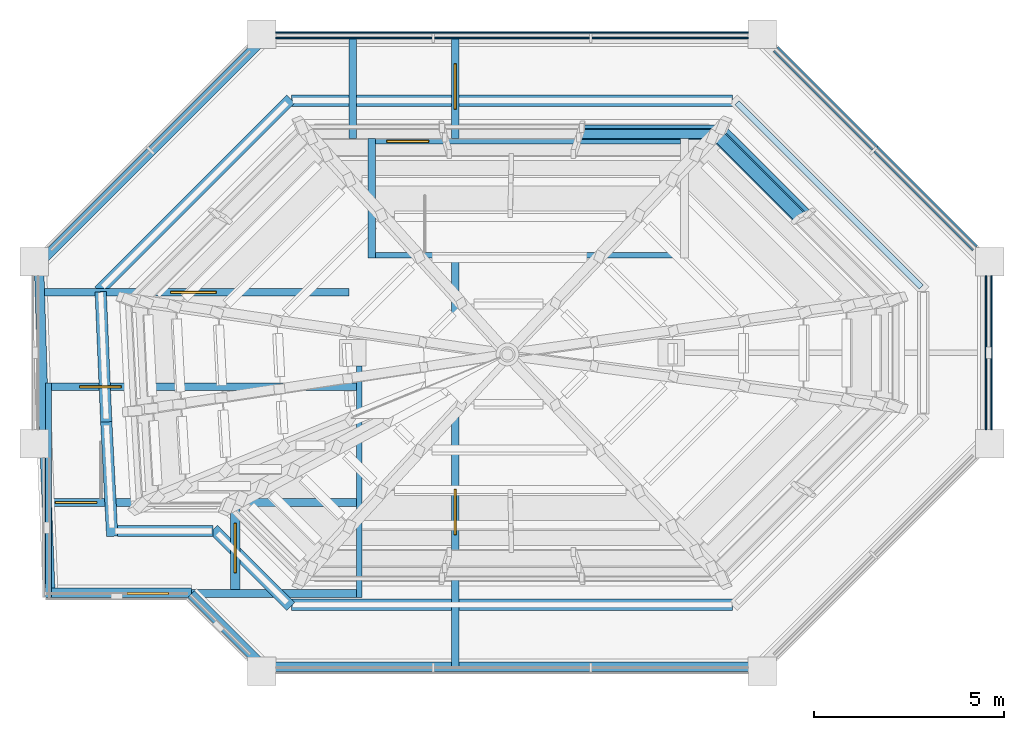
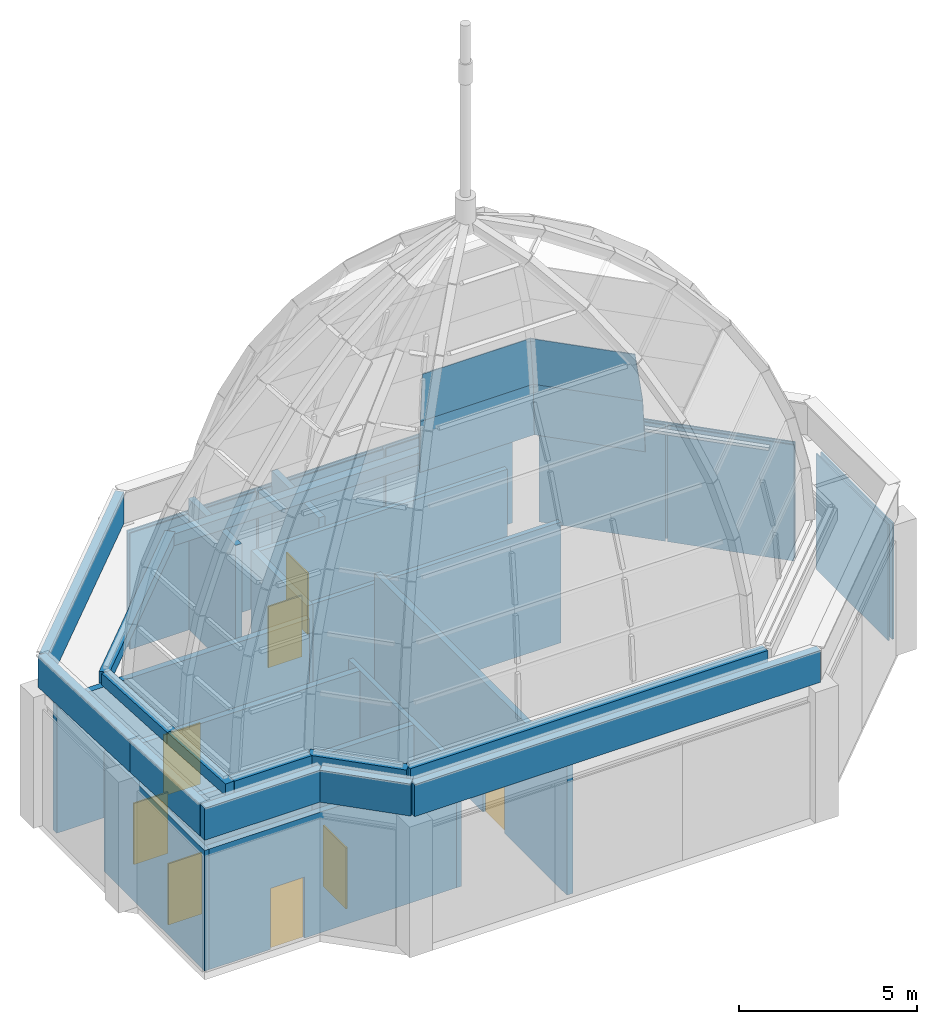
# One storey, part 4 of 9: 26 walls, 17 plates, 8 doors, 8 openings, 3 elements without a shape of their own.
"""IFC4 building model written with IfcOpenShell, lengths in metres."""

from ifc_helpers import new_model, si_unit, direction, frame, frame_2d, origin, origin_2d, place, context, subcontext, project, spatial, polyline, rectangle, outline, extrude, material, layer, layer_set, type_object, element, fill, aggregate, save


model = new_model("IFC4")

# Units and contexts
model_context = context("Model", 3, precision=1e-05, world=origin(), true_north=direction((0.0, 1.0)))
body_context = subcontext(model_context, "Body", "Model", "MODEL_VIEW")
ifc_project = project(units=[si_unit("LENGTHUNIT", "METRE"), si_unit("AREAUNIT", "SQUARE_METRE"), si_unit("VOLUMEUNIT", "CUBIC_METRE"), si_unit("PLANEANGLEUNIT", "RADIAN"), si_unit("MASSUNIT", "GRAM", prefix="KILO")], contexts=[model_context])

# Site, building, storey
site_placement = place(None, origin())
site = spatial("IfcSite", under=ifc_project, at=site_placement, CompositionType="ELEMENT")
building_placement = place(site_placement, origin())
building = spatial("IfcBuilding", under=site, at=building_placement, Name="Kawkab Arch Medical Tower", CompositionType="ELEMENT")
storey_placement = place(building_placement, frame((0.0, 0.0, 359.199951171875)))
storey = spatial("IfcBuildingStorey", under=building, at=storey_placement, Name="L83", CompositionType="ELEMENT", Elevation=359.199951171875)

# Plate
ifc_material_1 = material(Name="Steel S355", Category="steel")
ifc_layer_1 = layer(ifc_material_1, 0.10009765625)
ifc_layer_set_1 = layer_set([ifc_layer_1], Name="Steel S355")
plate_type_1 = type_object("IfcPlateType", Name="BMU rail 150 x 100", PredefinedType="USERDEFINED", material=ifc_layer_set_1)
plate_1_placement = place(storey_placement, frame((20.962646484375, -29.4375, 4.89990234375), z_axis=(0.0, 0.0, 1.0), x_axis=(0.707106781187, -0.707106781187, 0.0)))
element("IfcPlate", 1, at=plate_1_placement, inside=storey, type_object=plate_type_1, Name="BMU rail 3", ObjectType="BMU RAIL", PredefinedType="USERDEFINED", context=body_context, shape_type="SweptSolid", body=[
    extrude(rectangle(XDim=6.87548828125, YDim=0.14990234375, at=origin_2d()), origin(), (0.0, 0.0, 1.0), 0.10009765625),
])

# Curtain wall, plate
ifc_material_2 = material(Name="Bronze anodised aluminium curtain wall frame", Category="aluminium")
ifc_layer_2 = layer(ifc_material_2, 0.159912109375)
ifc_layer_set_2 = layer_set([ifc_layer_2], Name="Bronze anodised aluminium curtain wall frame")
curtain_wall_type = type_object("IfcCurtainWallType", Name="CW6 helipad lobby and crown glazing", PredefinedType="NOTDEFINED", material=ifc_layer_set_2)
placement = place(storey_placement, origin())
curtain_wall_1 = element("IfcCurtainWall", 2, at=placement, inside=storey, type_object=curtain_wall_type, Name="CW6 Helipad lobby and crown glazing R08", PredefinedType="NOTDEFINED")
ifc_material_3 = material(Name="Tinted laminated insulating glass, low iron", Category="glass")
ifc_layer_3 = layer(ifc_material_3, 0.0400390625)
ifc_layer_set_3 = layer_set([ifc_layer_3], Name="Tinted laminated insulating glass, low iron")
plate_type_2 = type_object("IfcPlateType", Name="CW6 glazing unit 40", PredefinedType="CURTAIN_PANEL", material=ifc_layer_set_3)
plate_2_placement = place(storey_placement, frame((25.10009765625, -33.60009765625, 0.0), z_axis=(0.0, 0.0, 1.0), x_axis=(0.0, 1.0, 0.0)))
plate_2 = element("IfcPlate", 3, at=plate_2_placement, type_object=plate_type_2, Name="CW6 glazing unit 1.1", PredefinedType="CURTAIN_PANEL", context=body_context, shape_type="SweptSolid", body=[
    extrude(rectangle(XDim=4.050048828125, YDim=0.0400390625, at=origin_2d()), origin(), (0.0, 0.0, 1.0), 3.989990234375),
])
aggregate(curtain_wall_1, [plate_2])

# Curtain wall, plates
curtain_wall_2 = element("IfcCurtainWall", 4, at=placement, inside=storey, type_object=curtain_wall_type, Name="CW6 Helipad lobby and crown glazing R09", PredefinedType="NOTDEFINED")
plate_3_placement = place(storey_placement, frame((23.4541015625, -29.595703125, 0.0), z_axis=(0.0, 0.0, 1.0), x_axis=(-0.707106781187, 0.707106781187, 0.0)))
plate_3 = element("IfcPlate", 5, at=plate_3_placement, type_object=plate_type_2, Name="CW6 glazing unit 1.1", PredefinedType="CURTAIN_PANEL", context=body_context, shape_type="SweptSolid", body=[
    extrude(rectangle(XDim=3.67724609375, YDim=0.0400390625, at=origin_2d()), origin(), (0.0, 0.0, 1.0), 3.989990234375),
])
plate_4_placement = place(storey_placement, frame((20.804443359375, -26.94580078125, 0.0), z_axis=(0.0, 0.0, 1.0), x_axis=(-0.707106781187, 0.707106781187, 0.0)))
plate_4 = element("IfcPlate", 6, at=plate_4_placement, type_object=plate_type_2, Name="CW6 glazing unit 1.2", PredefinedType="CURTAIN_PANEL", context=body_context, shape_type="SweptSolid", body=[
    extrude(rectangle(XDim=3.67724609375, YDim=0.0400390625, at=origin_2d()), origin(), (0.0, 0.0, 1.0), 3.989990234375),
])
aggregate(curtain_wall_2, [plate_3, plate_4])

curtain_wall_3 = element("IfcCurtainWall", 7, at=placement, inside=storey, type_object=curtain_wall_type, Name="CW6 Helipad lobby and crown glazing R10", PredefinedType="NOTDEFINED")
plate_5_placement = place(storey_placement, frame((16.767578125, -25.300048828125, 0.0), z_axis=(0.0, 0.0, 1.0), x_axis=(-1.0, 0.0, 0.0)))
plate_5 = element("IfcPlate", 8, at=plate_5_placement, type_object=plate_type_2, Name="CW6 glazing unit 1.1", PredefinedType="CURTAIN_PANEL", context=body_context, shape_type="SweptSolid", body=[
    extrude(rectangle(XDim=4.114990234375, YDim=0.0400390625, at=origin_2d()), origin(), (0.0, 0.0, 1.0), 3.989990234375),
])
plate_6_placement = place(storey_placement, frame((12.60009765625, -25.300048828125, 0.0), z_axis=(0.0, 0.0, 1.0), x_axis=(-1.0, 0.0, 0.0)))
plate_6 = element("IfcPlate", 9, at=plate_6_placement, type_object=plate_type_2, Name="CW6 glazing unit 1.2", PredefinedType="CURTAIN_PANEL", context=body_context, shape_type="SweptSolid", body=[
    extrude(rectangle(XDim=4.080078125, YDim=0.0400390625, at=origin_2d()), origin(), (0.0, 0.0, 1.0), 3.989990234375),
])
plate_7_placement = place(storey_placement, frame((8.4326171875, -25.300048828125, 0.0), z_axis=(0.0, 0.0, 1.0), x_axis=(-1.0, 0.0, 0.0)))
plate_7 = element("IfcPlate", 10, at=plate_7_placement, type_object=plate_type_2, Name="CW6 glazing unit 1.3", PredefinedType="CURTAIN_PANEL", context=body_context, shape_type="SweptSolid", body=[
    extrude(rectangle(XDim=4.114990234375, YDim=0.0400390625, at=origin_2d()), origin(), (0.0, 0.0, 1.0), 3.989990234375),
])
aggregate(curtain_wall_3, [plate_5, plate_6, plate_7])

# Plates
ifc_material_4 = material(Name="Laminated tinted glass", Category="glass")
ifc_layer_4 = layer(ifc_material_4, 0.031982421875)
ifc_layer_set_4 = layer_set([ifc_layer_4], Name="Laminated tinted glass")
plate_type_3 = type_object("IfcPlateType", Name="Crown glazing panel 32", PredefinedType="USERDEFINED", material=ifc_layer_set_4)
plate_8_placement = place(storey_placement, frame((20.5029296875, -29.897216796875, 4.650146484375), z_axis=(0.705627254102, 0.705627254102, 0.064655676758), x_axis=(-0.707106781187, 0.707106781187, 0.0)))
element("IfcPlate", 11, at=plate_8_placement, inside=storey, type_object=plate_type_3, Name="Crown glazing, peak B face 6 row 1 bay 2", ObjectType="CROWN GLAZING", PredefinedType="USERDEFINED", context=body_context, shape_type="SweptSolid", body=[
    extrude(outline(polyline([(0.0, 0.0), (3.248617043058704, 0.0), (3.2453370067201925, 1.823639943277554), (0.042985739383654874, 1.823639943277554), (0.0, 0.0)])), origin(), (0.0, 0.0, -1.0), 0.031982421875),
])
plate_9_placement = place(storey_placement, frame((18.205810546875, -27.60009765625, 4.650146484375), z_axis=(0.0, 0.998893162272, 0.047036691703), x_axis=(-1.0, 0.0, 0.0)))
element("IfcPlate", 12, at=plate_9_placement, inside=storey, type_object=plate_type_3, Name="Crown glazing, peak B face 7 row 1 bay 1", ObjectType="CROWN GLAZING", PredefinedType="USERDEFINED", context=body_context, shape_type="SweptSolid", body=[
    extrude(outline(polyline([(0.0, 0.0), (3.7373046875, 0.0), (3.765380859375, 1.821840700772167), (0.0810546875, 1.821840700772167), (0.0, 0.0)])), origin(), (0.0, 0.0, -1.0), 0.031982421875),
])
plate_10_placement = place(storey_placement, frame((20.38916015625, -29.9501953125, 6.469970703125), z_axis=(0.693697405746, 0.693659172864, 0.193960978453), x_axis=(-0.707088027523, 0.707125534333, 5.243683e-06)))
element("IfcPlate", 13, at=plate_10_placement, inside=storey, type_object=plate_type_3, Name="Crown glazing, peak B face 6 row 2 bay 2", ObjectType="CROWN GLAZING", PredefinedType="USERDEFINED", context=body_context, shape_type="SweptSolid", body=[
    extrude(outline(polyline([(0.0, 0.0), (3.2023512661662754, 1.1102230246251565e-16), (3.192683792979231, 1.855284878504599), (0.1306835507732039, 1.8553183626655365), (0.0, 0.0)])), origin(), (0.0, 0.0, -1.0), 0.031982421875),
])
plate_11_placement = place(storey_placement, frame((18.124755859375, -27.685791015625, 6.469970703125), z_axis=(0.0, 0.989856335609, 0.142071935493), x_axis=(-1.0, 0.0, 0.0)))
element("IfcPlate", 14, at=plate_11_placement, inside=storey, type_object=plate_type_3, Name="Crown glazing, peak B face 7 row 2 bay 1", ObjectType="CROWN GLAZING", PredefinedType="USERDEFINED", context=body_context, shape_type="SweptSolid", body=[
    extrude(outline(polyline([(0.0, 0.0), (3.684326171875, 0.0), (3.770263671875, 1.838719715073874), (0.24755859375, 1.838719715073874), (0.0, 0.0)])), origin(), (0.0, 0.0, -1.0), 0.031982421875),
])
ifc_material_5 = material(Name="Bronze anodised aluminium perforated screen", Category="aluminium")
ifc_layer_5 = layer(ifc_material_5, 0.050048828125)
ifc_layer_set_5 = layer_set([ifc_layer_5], Name="Bronze anodised aluminium perforated screen")
plate_type_4 = type_object("IfcPlateType", Name="Crown perforated star screen 50", PredefinedType="USERDEFINED", material=ifc_layer_set_5)
plate_12_placement = place(storey_placement, frame((25.2451171875, -33.60009765625, 0.0), z_axis=(0.0, 0.0, 1.0), x_axis=(0.0, 1.0, 0.0)))
element("IfcPlate", 15, at=plate_12_placement, inside=storey, type_object=plate_type_4, Name="Crown screen L83 R08.1.1", ObjectType="SCREEN", PredefinedType="USERDEFINED", context=body_context, shape_type="SweptSolid", body=[
    extrude(rectangle(XDim=4.050048828125, YDim=0.050048828125, at=origin_2d()), origin(), (0.0, 0.0, 1.0), 3.989990234375),
])
for number, where, z_axis, x_axis, name in (
    (16, (23.544189453125, -29.480712890625, 0.0), (0.0, 0.0, 1.0), (-0.707106781187, 0.707106781187, 0.0), "Crown screen L83 R09.1.1"),
    (17, (20.919189453125, -26.855712890625, 0.0), (0.0, 0.0, 1.0), (-0.707106781187, 0.707106781187, 0.0), "Crown screen L83 R09.1.2"),
):
    element("IfcPlate", number, at=place(storey_placement, frame(where, z_axis=z_axis, x_axis=x_axis)), inside=storey, type_object=plate_type_4, Name=name, ObjectType="SCREEN", PredefinedType="USERDEFINED", context=body_context, shape_type="SweptSolid", body=[
        extrude(rectangle(XDim=3.71240234375, YDim=0.050048828125, at=origin_2d()), origin(), (0.0, 0.0, 1.0), 3.989990234375),
    ])
for number, where, z_axis, x_axis, name in (
    (18, (16.75, -25.155029296875, 0.0), (0.0, 0.0, 1.0), (-1.0, 0.0, 0.0), "Crown screen L83 R10.1.1"),
    (19, (12.60009765625, -25.155029296875, 0.0), (0.0, 0.0, 1.0), (-1.0, 0.0, 0.0), "Crown screen L83 R10.1.2"),
    (20, (8.449951171875, -25.155029296875, 0.0), (0.0, 0.0, 1.0), (-1.0, 0.0, 0.0), "Crown screen L83 R10.1.3"),
):
    element("IfcPlate", number, at=place(storey_placement, frame(where, z_axis=z_axis, x_axis=x_axis)), inside=storey, type_object=plate_type_4, Name=name, ObjectType="SCREEN", PredefinedType="USERDEFINED", context=body_context, shape_type="SweptSolid", body=[
        extrude(rectangle(XDim=4.14990234375, YDim=0.050048828125, at=origin_2d()), origin(), (0.0, 0.0, 1.0), 3.989990234375),
    ])

# Walls
ifc_material_6 = material(Name="Concrete C40/50", Category="concrete")
ifc_layer_6 = layer(ifc_material_6, 0.300048828125)
ifc_layer_set_6 = layer_set([ifc_layer_6], Name="Concrete C40/50")
wall_type_1 = type_object("IfcWallType", Name="BMU curb 300 x 400", PredefinedType="SOLIDWALL", material=ifc_layer_set_6)
wall_1_placement = place(storey_placement, frame((1.703369140625, -31.971435546875, 4.5), z_axis=(0.0, 0.0, 1.0), x_axis=(0.707106781187, 0.707106781187, 0.0)))
element("IfcWall", 21, at=wall_1_placement, inside=storey, type_object=wall_type_1, Name="BMU rail curb 1", PredefinedType="SOLIDWALL", context=body_context, shape_type="SweptSolid", body=[
    extrude(rectangle(XDim=7.16357421875, YDim=0.300048828125, at=frame_2d((3.581787109375, 0.0))), origin(), (0.0, 0.0, 1.0), 0.400146484375),
])
for number, where, z_axis, x_axis, name in (
    (22, (6.787109375, -26.949951171875, 4.5), (0.0, 0.0, 1.0), (1.0, 0.0, 0.0), "BMU rail curb 2"),
    (23, (18.4130859375, -40.25, 4.5), (0.0, 0.0, 1.0), (-1.0, 0.0, 0.0), "BMU rail curb 6"),
):
    element("IfcWall", number, at=place(storey_placement, frame(where, z_axis=z_axis, x_axis=x_axis)), inside=storey, type_object=wall_type_1, Name=name, PredefinedType="SOLIDWALL", context=body_context, shape_type="SweptSolid", body=[
        extrude(rectangle(XDim=11.6259765625, YDim=0.300048828125, at=frame_2d((5.81298828125, 0.0))), origin(), (0.0, 0.0, 1.0), 0.400146484375),
    ])
wall_2_placement = place(storey_placement, frame((6.768798828125, -40.2939453125, 4.5), z_axis=(0.0, 0.0, 1.0), x_axis=(-0.707106781187, 0.707106781187, 0.0)))
element("IfcWall", 24, at=wall_2_placement, inside=storey, type_object=wall_type_1, Name="BMU rail curb 7", PredefinedType="SOLIDWALL", context=body_context, shape_type="SweptSolid", body=[
    extrude(rectangle(XDim=2.8818359375, YDim=0.300048828125, at=frame_2d((1.44091796875, 0.0))), origin(), (0.0, 0.0, 1.0), 0.400146484375),
])
wall_3_placement = place(storey_placement, frame((4.712646484375, -38.300048828125, 4.5), z_axis=(0.0, 0.0, 1.0), x_axis=(-1.0, 0.0, 0.0)))
element("IfcWall", 25, at=wall_3_placement, inside=storey, type_object=wall_type_1, Name="BMU rail curb 8", PredefinedType="SOLIDWALL", context=body_context, shape_type="SweptSolid", body=[
    extrude(rectangle(XDim=2.520263671875, YDim=0.300048828125, at=frame_2d((1.26025390625, 0.0))), origin(), (0.0, 0.0, 1.0), 0.400146484375),
])
wall_4_placement = place(storey_placement, frame((2.057373046875, -38.442138671875, 4.5), z_axis=(0.0, 0.0, 1.0), x_axis=(-0.052109351445, 0.998641384828, 0.0)))
element("IfcWall", 26, at=wall_4_placement, inside=storey, type_object=wall_type_1, Name="BMU rail curb 9", PredefinedType="SOLIDWALL", context=body_context, shape_type="SweptSolid", body=[
    extrude(rectangle(XDim=3.02197265625, YDim=0.300048828125, at=frame_2d((1.510986328125, 0.0))), origin(), (0.0, 0.0, 1.0), 0.400146484375),
])
wall_5_placement = place(storey_placement, frame((1.89990234375, -35.42431640625, 4.5), z_axis=(0.0, 0.0, 1.0), x_axis=(-0.042836071877, 0.999082114216, 0.0)))
element("IfcWall", 27, at=wall_5_placement, inside=storey, type_object=wall_type_1, Name="BMU rail curb 10", PredefinedType="SOLIDWALL", context=body_context, shape_type="SweptSolid", body=[
    extrude(rectangle(XDim=3.436767578125, YDim=0.300048828125, at=frame_2d((1.71826171875, 0.0))), origin(), (0.0, 0.0, 1.0), 0.400146484375),
])

# Wall, opening, door
ifc_material_7 = material(Name="Concrete C60/75", Category="concrete")
ifc_layer_7 = layer(ifc_material_7, 0.25)
ifc_layer_set_7 = layer_set([ifc_layer_7], Name="Concrete C60/75")
wall_type_2 = type_object("IfcWallType", Name="Core shear wall 250 C60/75", PredefinedType="SHEAR", material=ifc_layer_set_7)
wall_6_placement = place(storey_placement, frame((5.300048828125, -39.85009765625, 0.0), z_axis=(0.0, 0.0, 1.0), x_axis=(0.0, 1.0, 0.0)))
wall_6 = element("IfcWall", 28, at=wall_6_placement, inside=storey, type_object=wall_type_2, Name="L83 core shear wall", PredefinedType="SHEAR", context=body_context, shape_type="SweptSolid", body=[
    extrude(rectangle(XDim=2.2001953125, YDim=0.25, at=frame_2d((1.10009765625, 0.0))), origin(), (0.0, 0.0, 1.0), 4.150146484375),
])
opening_1_placement = place(wall_6_placement, frame((0.449951171875, 0.0, 0.0)))
opening_1 = element("IfcOpeningElement", 29, at=opening_1_placement, cuts=wall_6, Name="Opening LD2", PredefinedType="OPENING", context=body_context, shape_type="SweptSolid", body=[
    extrude(rectangle(XDim=1.300048828125, YDim=2.10009765625, at=frame_2d((0.64990234375, 1.050048828125))), frame((0.0, 0.135009765625, 0.0), z_axis=(0.0, -1.0, 0.0), x_axis=(1.0, 0.0, 0.0)), (0.0, 0.0, 1.0), 0.27001953125),
])
ifc_material_8 = material(Name="Stainless steel lift door leaf", Category="steel")
door_type_1 = type_object("IfcDoorType", Name="Lift landing door 1300", OperationType="DOUBLE_DOOR_SLIDING", PredefinedType="DOOR", material=ifc_material_8)
door_1_placement = place(opening_1_placement, origin())
door_1 = element("IfcDoor", 30, at=door_1_placement, inside=storey, type_object=door_type_1, Name="L83 Lift landing door SV2", OperationType="DOUBLE_DOOR_SLIDING", OverallHeight=2.10009765625, OverallWidth=1.300048828125, PredefinedType="DOOR", context=body_context, shape_type="SweptSolid", body=[
    extrude(rectangle(XDim=1.300048828125, YDim=2.10009765625, at=frame_2d((0.64990234375, 1.050048828125))), frame((0.0, 0.02490234375, 0.0), z_axis=(0.0, -1.0, 0.0), x_axis=(1.0, 0.0, 0.0)), (0.0, 0.0, 1.0), 0.050048828125),
])
fill(opening_1, door_1)

# Walls
ifc_material_9 = material(Name="Bronze clad insulated wall panel")
ifc_layer_8 = layer(ifc_material_9, 0.25)
ifc_layer_set_8 = layer_set([ifc_layer_8], Name="Bronze clad insulated wall panel")
wall_type_3 = type_object("IfcWallType", Name="Crown parapet 250", PredefinedType="SOLIDWALL", material=ifc_layer_set_8)
wall_7_placement = place(storey_placement, frame((0.3046875, -39.925048828125, 4.5), z_axis=(0.0, 0.0, 1.0), x_axis=(1.0, 0.0, 0.0)))
element("IfcWall", 31, at=wall_7_placement, inside=storey, type_object=wall_type_3, Name="Parapet, crown peak B 1", PredefinedType="SOLIDWALL", context=body_context, shape_type="SweptSolid", body=[
    extrude(rectangle(XDim=3.848876953125, YDim=0.25, at=frame_2d((1.92431640625, 0.0))), origin(), (0.0, 0.0, 1.0), 1.10009765625),
])
wall_8_placement = place(storey_placement, frame((4.138427734375, -39.961669921875, 4.5), z_axis=(0.0, 0.0, 1.0), x_axis=(0.707106781187, -0.707106781187, 0.0)))
element("IfcWall", 32, at=wall_8_placement, inside=storey, type_object=wall_type_3, Name="Parapet, crown peak B 2", PredefinedType="SOLIDWALL", context=body_context, shape_type="SweptSolid", body=[
    extrude(rectangle(XDim=2.654052734375, YDim=0.25, at=frame_2d((1.3271484375, 0.0))), origin(), (0.0, 0.0, 1.0), 1.10009765625),
])
wall_9_placement = place(storey_placement, frame((6.0, -41.875, 4.5), z_axis=(0.0, 0.0, 1.0), x_axis=(1.0, 0.0, 0.0)))
element("IfcWall", 33, at=wall_9_placement, inside=storey, type_object=wall_type_3, Name="Parapet, crown peak B 3", PredefinedType="SOLIDWALL", context=body_context, shape_type="SweptSolid", body=[
    extrude(rectangle(XDim=13.199951171875, YDim=0.25, at=frame_2d((6.60009765625, 0.0))), origin(), (0.0, 0.0, 1.0), 1.10009765625),
])
wall_10_placement = place(storey_placement, frame((6.01513671875, -25.361572265625, 4.5), z_axis=(0.0, 0.0, 1.0), x_axis=(-0.707106781187, -0.707106781187, 0.0)))
element("IfcWall", 34, at=wall_10_placement, inside=storey, type_object=wall_type_3, Name="Parapet, crown peak B 8", PredefinedType="SOLIDWALL", context=body_context, shape_type="SweptSolid", body=[
    extrude(rectangle(XDim=8.276123046875, YDim=0.25, at=frame_2d((4.13818359375, 0.0))), origin(), (0.0, 0.0, 1.0), 1.10009765625),
])
wall_11_placement = place(storey_placement, frame((0.123291015625, -31.19775390625, 4.5), z_axis=(0.0, 0.0, 1.0), x_axis=(0.030920746352, -0.999521839404, 0.0)))
element("IfcWall", 35, at=wall_11_placement, inside=storey, type_object=wall_type_3, Name="Parapet, crown peak B 9", PredefinedType="SOLIDWALL", context=body_context, shape_type="SweptSolid", body=[
    extrude(rectangle(XDim=4.9033203125, YDim=0.25, at=frame_2d((2.45166015625, 0.0))), origin(), (0.0, 0.0, 1.0), 1.10009765625),
])
wall_12_placement = place(storey_placement, frame((0.27490234375, -36.0986328125, 4.5), z_axis=(0.0, 0.0, 1.0), x_axis=(0.039229380017, -0.9992302316, 0.0)))
element("IfcWall", 36, at=wall_12_placement, inside=storey, type_object=wall_type_3, Name="Parapet, crown peak B 10", PredefinedType="SOLIDWALL", context=body_context, shape_type="SweptSolid", body=[
    extrude(rectangle(XDim=3.709228515625, YDim=0.25, at=frame_2d((1.8544921875, 0.0))), origin(), (0.0, 0.0, 1.0), 1.10009765625),
])

# Wall, opening, door
ifc_material_10 = material(Name="Fire-rated gypsum board partition on steel studs", Category="steel")
ifc_layer_9 = layer(ifc_material_10, 0.199951171875)
ifc_layer_set_9 = layer_set([ifc_layer_9], Name="Fire-rated gypsum board partition on steel studs")
wall_type_4 = type_object("IfcWallType", Name="Protected partition 200", PredefinedType="PARTITIONING", material=ifc_layer_set_9)
wall_13_placement = place(storey_placement, frame((0.080078125, -32.007080078125, 0.0), z_axis=(0.0, 0.0, 1.0), x_axis=(1.0, 0.0, 0.0)))
wall_13 = element("IfcWall", 37, at=wall_13_placement, inside=storey, type_object=wall_type_4, Name="Protected partition 200 w002", PredefinedType="PARTITIONING", context=body_context, shape_type="SweptSolid", body=[
    extrude(rectangle(XDim=8.219970703125, YDim=0.199951171875, at=frame_2d((4.10986328125, 0.0))), origin(), (0.0, 0.0, 1.0), 4.5),
])
opening_2_placement = place(wall_13_placement, frame((3.52001953125, 0.0, 0.0)))
opening_2 = element("IfcOpeningElement", 38, at=opening_2_placement, cuts=wall_13, Name="Opening C83-003", PredefinedType="OPENING", context=body_context, shape_type="SweptSolid", body=[
    extrude(rectangle(XDim=1.199951171875, YDim=2.10009765625, at=frame_2d((0.60009765625, 1.050048828125))), frame((0.0, 0.10986328125, 0.0), z_axis=(0.0, -1.0, 0.0), x_axis=(1.0, 0.0, 0.0)), (0.0, 0.0, 1.0), 0.219970703125),
])
ifc_material_11 = material(Name="Hollow metal door leaf")
door_type_2 = type_object("IfcDoorType", Name="Single door 1200x2100 FD60", OperationType="NOTDEFINED", PredefinedType="DOOR", material=ifc_material_11)
door_2_placement = place(opening_2_placement, origin())
door_2 = element("IfcDoor", 39, at=door_2_placement, inside=storey, type_object=door_type_2, Name="Door C83-003", OperationType="SINGLE_SWING_LEFT", OverallHeight=2.10009765625, OverallWidth=1.199951171875, PredefinedType="DOOR", context=body_context, shape_type="SweptSolid", body=[
    extrude(rectangle(XDim=1.199951171875, YDim=2.10009765625, at=frame_2d((0.60009765625, 1.050048828125))), frame((0.0, 0.02490234375, 0.0), z_axis=(0.0, -1.0, 0.0), x_axis=(1.0, 0.0, 0.0)), (0.0, 0.0, 1.0), 0.050048828125),
])
fill(opening_2, door_2)

# Wall
wall_14_placement = place(storey_placement, frame((8.39990234375, -27.949951171875, 0.0), z_axis=(0.0, 0.0, 1.0), x_axis=(0.0, 1.0, 0.0)))
element("IfcWall", 40, at=wall_14_placement, inside=storey, type_object=wall_type_4, Name="Protected partition 200 w003", PredefinedType="PARTITIONING", context=body_context, shape_type="SweptSolid", body=[
    extrude(rectangle(XDim=2.669921875, YDim=0.199951171875, at=frame_2d((1.3349609375, 0.0))), origin(), (0.0, 0.0, 1.0), 4.5),
])

# Wall, opening, door
wall_15_placement = place(storey_placement, frame((11.10009765625, -41.919921875, 0.0), z_axis=(0.0, 0.0, 1.0), x_axis=(0.0, 1.0, 0.0)))
wall_15 = element("IfcWall", 41, at=wall_15_placement, inside=storey, type_object=wall_type_4, Name="Protected partition 200 w004", PredefinedType="PARTITIONING", context=body_context, shape_type="SweptSolid", body=[
    extrude(rectangle(XDim=10.81982421875, YDim=0.199951171875, at=frame_2d((5.409912109375, 0.0))), origin(), (0.0, 0.0, 1.0), 4.5),
])
opening_3_placement = place(wall_15_placement, frame((3.52001953125, 0.0, 0.0)))
opening_3 = element("IfcOpeningElement", 42, at=opening_3_placement, cuts=wall_15, Name="Opening C83-002", PredefinedType="OPENING", context=body_context, shape_type="SweptSolid", body=[
    extrude(rectangle(XDim=1.199951171875, YDim=2.10009765625, at=frame_2d((0.60009765625, 1.050048828125))), frame((0.0, 0.10986328125, 0.0), z_axis=(0.0, -1.0, 0.0), x_axis=(1.0, 0.0, 0.0)), (0.0, 0.0, 1.0), 0.219970703125),
])
door_3_placement = place(opening_3_placement, origin())
door_3 = element("IfcDoor", 43, at=door_3_placement, inside=storey, type_object=door_type_2, Name="Door C83-002", OperationType="SINGLE_SWING_RIGHT", OverallHeight=2.10009765625, OverallWidth=1.199951171875, PredefinedType="DOOR", context=body_context, shape_type="SweptSolid", body=[
    extrude(rectangle(XDim=1.199951171875, YDim=2.10009765625, at=frame_2d((0.60009765625, 1.050048828125))), frame((0.0, 0.02490234375, 0.0), z_axis=(0.0, -1.0, 0.0), x_axis=(1.0, 0.0, 0.0)), (0.0, 0.0, 1.0), 0.050048828125),
])
fill(opening_3, door_3)

wall_16_placement = place(storey_placement, frame((11.10009765625, -27.949951171875, 0.0), z_axis=(0.0, 0.0, 1.0), x_axis=(0.0, 1.0, 0.0)))
wall_16 = element("IfcWall", 44, at=wall_16_placement, inside=storey, type_object=wall_type_4, Name="Protected partition 200 w005", PredefinedType="PARTITIONING", context=body_context, shape_type="SweptSolid", body=[
    extrude(rectangle(XDim=2.669921875, YDim=0.199951171875, at=frame_2d((1.3349609375, 0.0))), origin(), (0.0, 0.0, 1.0), 4.5),
])
opening_4_placement = place(wall_16_placement, frame((0.77490234375, 0.0, 0.0)))
opening_4 = element("IfcOpeningElement", 45, at=opening_4_placement, cuts=wall_16, Name="Opening C83-001", PredefinedType="OPENING", context=body_context, shape_type="SweptSolid", body=[
    extrude(rectangle(XDim=1.199951171875, YDim=2.10009765625, at=frame_2d((0.60009765625, 1.050048828125))), frame((0.0, 0.10986328125, 0.0), z_axis=(0.0, -1.0, 0.0), x_axis=(1.0, 0.0, 0.0)), (0.0, 0.0, 1.0), 0.219970703125),
])
door_4_placement = place(opening_4_placement, origin())
door_4 = element("IfcDoor", 46, at=door_4_placement, inside=storey, type_object=door_type_2, Name="Door C83-001", OperationType="SINGLE_SWING_RIGHT", OverallHeight=2.10009765625, OverallWidth=1.199951171875, PredefinedType="DOOR", context=body_context, shape_type="SweptSolid", body=[
    extrude(rectangle(XDim=1.199951171875, YDim=2.10009765625, at=frame_2d((0.60009765625, 1.050048828125))), frame((0.0, 0.02490234375, 0.0), z_axis=(0.0, -1.0, 0.0), x_axis=(1.0, 0.0, 0.0)), (0.0, 0.0, 1.0), 0.050048828125),
])
fill(opening_4, door_4)

# Walls
ifc_material_12 = material(Name="Concrete C50/60", Category="concrete")
ifc_layer_10 = layer(ifc_material_12, 0.14990234375)
ifc_layer_set_10 = layer_set([ifc_layer_10], Name="Concrete C50/60")
wall_type_5 = type_object("IfcWallType", Name="Stair enclosure wall 150 C50/60", PredefinedType="SHEAR", material=ifc_layer_set_10)
wall_17_placement = place(storey_placement, frame((0.375, -40.050048828125, 0.0), z_axis=(0.0, 0.0, 1.0), x_axis=(0.0, 1.0, 0.0)))
element("IfcWall", 47, at=wall_17_placement, inside=storey, type_object=wall_type_5, Name="L83 stair enclosure wall", PredefinedType="SHEAR", context=body_context, shape_type="SweptSolid", body=[
    extrude(rectangle(XDim=5.650146484375, YDim=0.14990234375, at=frame_2d((2.8251953125, 0.0))), origin(), (0.0, 0.0, 1.0), 4.150146484375),
])
wall_18_placement = place(storey_placement, frame((8.574951171875, -40.050048828125, 0.0), z_axis=(0.0, 0.0, 1.0), x_axis=(0.0, 1.0, 0.0)))
element("IfcWall", 48, at=wall_18_placement, inside=storey, type_object=wall_type_5, Name="L83 stair enclosure wall", PredefinedType="SHEAR", context=body_context, shape_type="SweptSolid", body=[
    extrude(rectangle(XDim=6.10009765625, YDim=0.14990234375, at=frame_2d((3.050048828125, 0.0))), origin(), (0.0, 0.0, 1.0), 4.150146484375),
])

# Wall, opening, door
wall_19_placement = place(storey_placement, frame((9.0, -28.02490234375, 0.0), z_axis=(0.0, 0.0, 1.0), x_axis=(1.0, 0.0, 0.0)))
wall_19 = element("IfcWall", 49, at=wall_19_placement, inside=storey, type_object=wall_type_5, Name="L83 stair enclosure wall", PredefinedType="SHEAR", context=body_context, shape_type="SweptSolid", body=[
    extrude(rectangle(XDim=8.050048828125, YDim=0.14990234375, at=frame_2d((4.02490234375, 0.0))), origin(), (0.0, 0.0, 1.0), 4.150146484375),
])
opening_5_placement = place(wall_19_placement, frame((0.300048828125, 0.0, 0.0)))
opening_5 = element("IfcOpeningElement", 50, at=opening_5_placement, cuts=wall_19, Name="Opening SD", PredefinedType="OPENING", context=body_context, shape_type="SweptSolid", body=[
    extrude(rectangle(XDim=1.10009765625, YDim=2.10009765625, at=frame_2d((0.550048828125, 1.050048828125))), frame((0.0, 0.0849609375, 0.0), z_axis=(0.0, -1.0, 0.0), x_axis=(1.0, 0.0, 0.0)), (0.0, 0.0, 1.0), 0.169921875),
])
ifc_material_13 = material(Name="Hollow metal fire door leaf")
door_type_3 = type_object("IfcDoorType", Name="Exit stair door 1100", OperationType="SINGLE_SWING_LEFT", PredefinedType="DOOR", material=ifc_material_13)
door_5_placement = place(opening_5_placement, origin())
door_5 = element("IfcDoor", 51, at=door_5_placement, inside=storey, type_object=door_type_3, Name="L83 Exit stair ST9 door", OperationType="SINGLE_SWING_LEFT", OverallHeight=2.10009765625, OverallWidth=1.10009765625, PredefinedType="DOOR", context=body_context, shape_type="SweptSolid", body=[
    extrude(rectangle(XDim=1.10009765625, YDim=2.10009765625, at=frame_2d((0.550048828125, 1.050048828125))), frame((0.0, 0.02490234375, 0.0), z_axis=(0.0, -1.0, 0.0), x_axis=(1.0, 0.0, 0.0)), (0.0, 0.0, 1.0), 0.050048828125),
])
fill(opening_5, door_5)

# Wall
wall_20_placement = place(storey_placement, frame((9.0, -31.02490234375, 0.0), z_axis=(0.0, 0.0, 1.0), x_axis=(1.0, 0.0, 0.0)))
element("IfcWall", 52, at=wall_20_placement, inside=storey, type_object=wall_type_5, Name="L83 stair enclosure wall", PredefinedType="SHEAR", context=body_context, shape_type="SweptSolid", body=[
    extrude(rectangle(XDim=8.050048828125, YDim=0.14990234375, at=frame_2d((4.02490234375, 0.0))), origin(), (0.0, 0.0, 1.0), 4.150146484375),
])

# Wall, opening, door
ifc_material_14 = material(Name="Concrete C50/60", Category="concrete")
ifc_layer_11 = layer(ifc_material_14, 0.199951171875)
ifc_layer_set_11 = layer_set([ifc_layer_11], Name="Concrete C50/60")
wall_type_6 = type_object("IfcWallType", Name="Stair enclosure wall 200 C50/60", PredefinedType="SHEAR", material=ifc_layer_set_11)
wall_21_placement = place(storey_placement, frame((0.449951171875, -34.5, 0.0), z_axis=(0.0, 0.0, 1.0), x_axis=(1.0, 0.0, 0.0)))
wall_21 = element("IfcWall", 53, at=wall_21_placement, inside=storey, type_object=wall_type_6, Name="L83 stair enclosure wall", PredefinedType="SHEAR", context=body_context, shape_type="SweptSolid", body=[
    extrude(rectangle(XDim=8.050048828125, YDim=0.199951171875, at=frame_2d((4.02490234375, 0.0))), origin(), (0.0, 0.0, 1.0), 4.150146484375),
])
opening_6_placement = place(wall_21_placement, frame((0.75, 0.0, 0.0)))
opening_6 = element("IfcOpeningElement", 54, at=opening_6_placement, cuts=wall_21, Name="Opening SD", PredefinedType="OPENING", context=body_context, shape_type="SweptSolid", body=[
    extrude(rectangle(XDim=1.10009765625, YDim=2.10009765625, at=frame_2d((0.550048828125, 1.050048828125))), frame((0.0, 0.10986328125, 0.0), z_axis=(0.0, -1.0, 0.0), x_axis=(1.0, 0.0, 0.0)), (0.0, 0.0, 1.0), 0.219970703125),
])
door_6_placement = place(opening_6_placement, origin())
door_6 = element("IfcDoor", 55, at=door_6_placement, inside=storey, type_object=door_type_3, Name="L83 Exit stair ST6 door", OperationType="SINGLE_SWING_LEFT", OverallHeight=2.10009765625, OverallWidth=1.10009765625, PredefinedType="DOOR", context=body_context, shape_type="SweptSolid", body=[
    extrude(rectangle(XDim=1.10009765625, YDim=2.10009765625, at=frame_2d((0.550048828125, 1.050048828125))), frame((0.0, 0.02490234375, 0.0), z_axis=(0.0, -1.0, 0.0), x_axis=(1.0, 0.0, 0.0)), (0.0, 0.0, 1.0), 0.050048828125),
])
fill(opening_6, door_6)

wall_22_placement = place(storey_placement, frame((0.449951171875, -37.550048828125, 0.0), z_axis=(0.0, 0.0, 1.0), x_axis=(1.0, 0.0, 0.0)))
wall_22 = element("IfcWall", 56, at=wall_22_placement, inside=storey, type_object=wall_type_6, Name="L83 stair enclosure wall", PredefinedType="SHEAR", context=body_context, shape_type="SweptSolid", body=[
    extrude(rectangle(XDim=8.050048828125, YDim=0.199951171875, at=frame_2d((4.02490234375, 0.0))), origin(), (0.0, 0.0, 1.0), 4.150146484375),
])
opening_7_placement = place(wall_22_placement, frame((0.10009765625, 0.0, 0.0)))
opening_7 = element("IfcOpeningElement", 57, at=opening_7_placement, cuts=wall_22, Name="Opening SD", PredefinedType="OPENING", context=body_context, shape_type="SweptSolid", body=[
    extrude(rectangle(XDim=1.10009765625, YDim=2.10009765625, at=frame_2d((0.550048828125, 1.050048828125))), frame((0.0, 0.10986328125, 0.0), z_axis=(0.0, -1.0, 0.0), x_axis=(1.0, 0.0, 0.0)), (0.0, 0.0, 1.0), 0.219970703125),
])
door_7_placement = place(opening_7_placement, frame((1.10009765625, 0.0, 0.0), z_axis=(0.0, 0.0, 1.0), x_axis=(-1.0, 0.0, 0.0)))
door_7 = element("IfcDoor", 58, at=door_7_placement, inside=storey, type_object=door_type_3, Name="L83 Exit stair ST6 lobby door", OperationType="SINGLE_SWING_LEFT", OverallHeight=2.10009765625, OverallWidth=1.10009765625, PredefinedType="DOOR", context=body_context, shape_type="SweptSolid", body=[
    extrude(rectangle(XDim=1.10009765625, YDim=2.10009765625, at=frame_2d((0.550048828125, 1.050048828125))), frame((0.0, 0.02490234375, 0.0), z_axis=(0.0, -1.0, 0.0), x_axis=(1.0, 0.0, 0.0)), (0.0, 0.0, 1.0), 0.050048828125),
])
fill(opening_7, door_7)

wall_23_placement = place(storey_placement, frame((0.449951171875, -39.949951171875, 0.0), z_axis=(0.0, 0.0, 1.0), x_axis=(1.0, 0.0, 0.0)))
wall_23 = element("IfcWall", 59, at=wall_23_placement, inside=storey, type_object=wall_type_6, Name="L83 stair enclosure wall", PredefinedType="SHEAR", context=body_context, shape_type="SweptSolid", body=[
    extrude(rectangle(XDim=8.050048828125, YDim=0.199951171875, at=frame_2d((4.02490234375, 0.0))), origin(), (0.0, 0.0, 1.0), 4.150146484375),
])
opening_8_placement = place(wall_23_placement, frame((2.0, 0.0, 0.0)))
opening_8 = element("IfcOpeningElement", 60, at=opening_8_placement, cuts=wall_23, Name="Opening FD", PredefinedType="OPENING", context=body_context, shape_type="SweptSolid", body=[
    extrude(rectangle(XDim=1.10009765625, YDim=2.10009765625, at=frame_2d((0.550048828125, 1.050048828125))), frame((0.0, 0.10986328125, 0.0), z_axis=(0.0, -1.0, 0.0), x_axis=(1.0, 0.0, 0.0)), (0.0, 0.0, 1.0), 0.219970703125),
])
ifc_material_15 = material(Name="Hollow metal fire door leaf")
door_type_4 = type_object("IfcDoorType", Name="Firefighting lobby door 1100", OperationType="SINGLE_SWING_LEFT", PredefinedType="DOOR", material=ifc_material_15)
door_8_placement = place(opening_8_placement, origin())
door_8 = element("IfcDoor", 61, at=door_8_placement, inside=storey, type_object=door_type_4, Name="L83 Service lift lobby door SV2", OperationType="SINGLE_SWING_LEFT", OverallHeight=2.10009765625, OverallWidth=1.10009765625, PredefinedType="DOOR", context=body_context, shape_type="SweptSolid", body=[
    extrude(rectangle(XDim=1.10009765625, YDim=2.10009765625, at=frame_2d((0.550048828125, 1.050048828125))), frame((0.0, 0.02490234375, 0.0), z_axis=(0.0, -1.0, 0.0), x_axis=(1.0, 0.0, 0.0)), (0.0, 0.0, 1.0), 0.050048828125),
])
fill(opening_8, door_8)

# Wall
wall_24_placement = place(storey_placement, frame((8.89990234375, -31.10009765625, 0.0), z_axis=(0.0, 0.0, 1.0), x_axis=(0.0, 1.0, 0.0)))
element("IfcWall", 62, at=wall_24_placement, inside=storey, type_object=wall_type_6, Name="L83 stair enclosure wall", PredefinedType="SHEAR", context=body_context, shape_type="SweptSolid", body=[
    extrude(rectangle(XDim=3.150146484375, YDim=0.199951171875, at=frame_2d((1.5751953125, 0.0))), origin(), (0.0, 0.0, 1.0), 4.150146484375),
])

save(model, "model.ifc")
